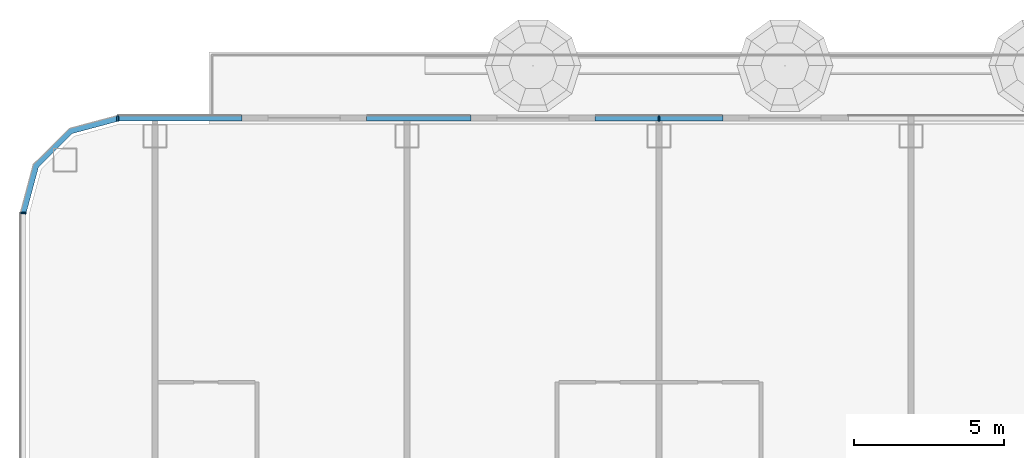
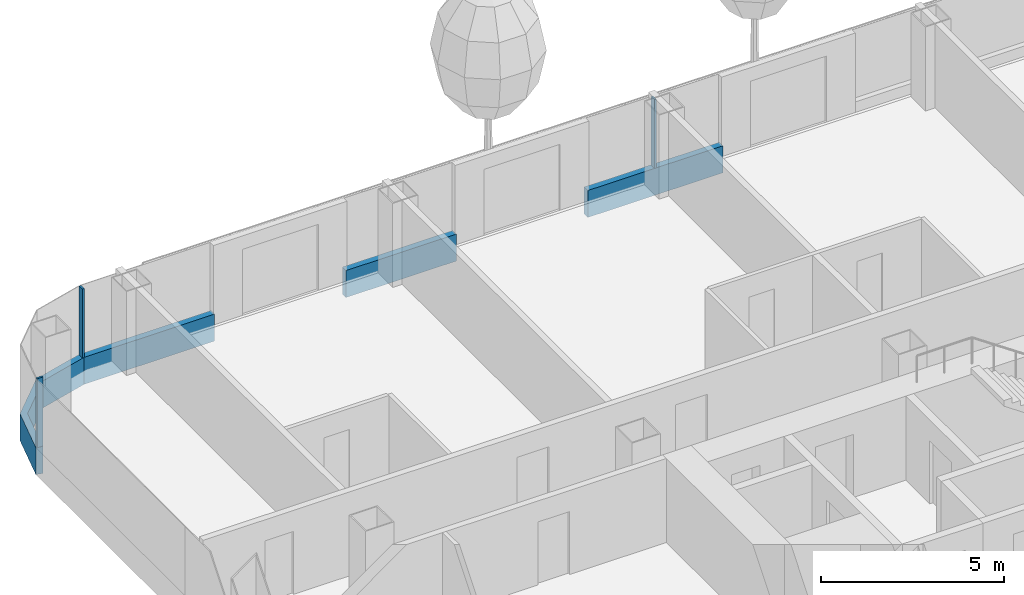
# One storey, part 5 of 34: 7 members, 3 elements without a shape of their own.
"""IFC4 building model written with IfcOpenShell, lengths in metres."""

import ifcopenshell
import ifcopenshell.guid

model = None  # the IFC model being written
_history = None  # IfcOwnerHistory: only IFC2X3 demands one
_inside = {}  # id of a spatial element -> (the spatial element, [elements in it])
_under = {}  # id of a project, library or spatial element -> (it, [spatial elements below it])
_declared = {}  # id of a project -> (the project, [libraries it declares])
_typed = {}  # id of a type object -> (the type object, [elements of that type])
_made_of = {}  # id of a material, layer set ... -> (it, [elements and type objects made of it])


def new_model(schema):
    """Start an empty IFC model of exactly this schema.

    Asked for "IFC4X3", IfcOpenShell would pick the latest addendum, in which some entities
    have other attributes; the version numbers below select the first issue.
    IFC2X3 requires an IfcOwnerHistory on every rooted entity: one is made here for all.
    """
    global model, _history
    if schema == "IFC4X3":
        model = ifcopenshell.file(schema_version=(4, 3, 0, 0))
    else:
        model = ifcopenshell.file(schema=schema)
    _inside.clear()
    _under.clear()
    _declared.clear()
    _typed.clear()
    _made_of.clear()
    _history = None
    if model.schema == "IFC2X3":
        org = make("IfcOrganization", Name="unknown")
        user = make(
            "IfcPersonAndOrganization",
            ThePerson=make("IfcPerson", FamilyName="unknown"),
            TheOrganization=org,
        )
        app = make(
            "IfcApplication",
            ApplicationDeveloper=org,
            Version="unknown",
            ApplicationFullName="unknown",
            ApplicationIdentifier="unknown",
        )
        _history = make(
            "IfcOwnerHistory",
            OwningUser=user,
            OwningApplication=app,
            ChangeAction="ADDED",
            CreationDate=0,
        )
    return model


def make(cls, **values):
    """One entity of the class cls with the attributes given. An attribute that is None is left unset."""
    return model.create_entity(
        cls, **{name: value for name, value in values.items() if value is not None}
    )


def rooted(cls, **values):
    """An entity with a GlobalId (a new one), such as an element, a storey or a relation."""
    return make(cls, GlobalId=ifcopenshell.guid.new(), OwnerHistory=_history, **values)


def si_unit(unit_type, name, prefix=None):
    """IfcSIUnit, for example si_unit("LENGTHUNIT", "METRE", prefix="MILLI")."""
    return make("IfcSIUnit", UnitType=unit_type, Prefix=prefix, Name=name)


def assignment(units):
    """IfcUnitAssignment: the units of a project."""
    return None if units is None else make("IfcUnitAssignment", Units=units)


def point(xyz):
    """IfcCartesianPoint."""
    return None if xyz is None else make("IfcCartesianPoint", Coordinates=xyz)


def direction(xyz):
    """IfcDirection."""
    return None if xyz is None else make("IfcDirection", DirectionRatios=xyz)


def frame(location, z_axis=None, x_axis=None):
    """IfcAxis2Placement3D, a coordinate frame: its origin and axes. An axis left out is left unset."""
    return make(
        "IfcAxis2Placement3D",
        Location=point(location),
        Axis=direction(z_axis),
        RefDirection=direction(x_axis),
    )


def frame_2d(location, x_axis=None):
    """IfcAxis2Placement2D, a coordinate frame in the plane: its origin and x axis."""
    return make(
        "IfcAxis2Placement2D", Location=point(location), RefDirection=direction(x_axis)
    )


def origin():
    """The frame at (0, 0, 0) with its axes left unset."""
    return frame((0.0, 0.0, 0.0))


def origin_2d():
    """The frame at (0, 0) in the plane with its x axis left unset."""
    return frame_2d((0.0, 0.0))


def place(relative_to, where):
    """IfcLocalPlacement: puts the frame where relative to a parent placement (None: the world)."""
    return make(
        "IfcLocalPlacement", PlacementRelTo=relative_to, RelativePlacement=where
    )


def context(
    kind, dimensions, precision=None, world=None, true_north=None, identifier=None
):
    """IfcGeometricRepresentationContext, for example the 3D "Model" context."""
    return make(
        "IfcGeometricRepresentationContext",
        ContextIdentifier=identifier,
        ContextType=kind,
        CoordinateSpaceDimension=dimensions,
        Precision=precision,
        WorldCoordinateSystem=world,
        TrueNorth=true_north,
    )


def subcontext(parent, identifier, kind, view, scale=None):
    """IfcGeometricRepresentationSubContext, for example "Body" below "Model"."""
    return make(
        "IfcGeometricRepresentationSubContext",
        ContextIdentifier=identifier,
        ContextType=kind,
        ParentContext=parent,
        TargetScale=scale,
        TargetView=view,
    )


def project(units=None, contexts=None):
    """IfcProject with its units and contexts."""
    return rooted(
        "IfcProject",
        Name="project",
        RepresentationContexts=contexts,
        UnitsInContext=assignment(units),
    )


def spatial(cls, under=None, at=None, **own):
    """A site, building, storey or space (cls), placed at a placement, below another one or the project."""
    s = rooted(cls, ObjectPlacement=at, **own)
    if under is not None:
        _under.setdefault(under.id(), (under, []))[1].append(s)
    return s


def polyline(points):
    """IfcPolyline through the points."""
    return make("IfcPolyline", Points=[point(p) for p in points])


def profile(cls, at=None, kind="AREA", **sizes):
    """A parametric profile (cls). Its sizes go by their IFC names, for example OverallWidth=200.0."""
    return make(cls, ProfileType=kind, Position=at, **sizes)


def rectangle(**sizes):
    """IfcRectangleProfileDef."""
    return profile("IfcRectangleProfileDef", **sizes)


def outline(outer, holes=None, kind="AREA"):
    """IfcArbitraryClosedProfileDef: a profile drawn as a closed curve; with holes, ...WithVoids."""
    if holes is None:
        return make("IfcArbitraryClosedProfileDef", ProfileType=kind, OuterCurve=outer)
    return make(
        "IfcArbitraryProfileDefWithVoids",
        ProfileType=kind,
        OuterCurve=outer,
        InnerCurves=holes,
    )


def extrude(swept, where, along, depth):
    """IfcExtrudedAreaSolid: the profile swept, set in the frame where, extruded along a direction by depth."""
    return make(
        "IfcExtrudedAreaSolid",
        SweptArea=swept,
        Position=where,
        ExtrudedDirection=direction(along),
        Depth=depth,
    )


def shape(context_of_items, identifier, shape_type, items):
    """IfcShapeRepresentation: the items that make up one representation, for example the "Body"."""
    return make(
        "IfcShapeRepresentation",
        ContextOfItems=context_of_items,
        RepresentationIdentifier=identifier,
        RepresentationType=shape_type,
        Items=items,
    )


def material(Name=None, Category=None):
    """IfcMaterial."""
    return make("IfcMaterial", Name=Name, Category=Category)


def layer(
    of_material, thickness, ventilated=None, Name=None, Category=None, Priority=None
):
    """IfcMaterialLayer: one layer of a wall or slab, of a material (None: an air gap)."""
    return make(
        "IfcMaterialLayer",
        Material=of_material,
        LayerThickness=thickness,
        IsVentilated=ventilated,
        Name=Name,
        Category=Category,
        Priority=Priority,
    )


def layer_set(layers, Name=None):
    """IfcMaterialLayerSet."""
    return make("IfcMaterialLayerSet", MaterialLayers=layers, LayerSetName=Name)


def material_profile(
    of_material, cross_section, Name=None, Category=None, Priority=None
):
    """IfcMaterialProfile: a cross section and its material."""
    return make(
        "IfcMaterialProfile",
        Name=Name,
        Material=of_material,
        Profile=cross_section,
        Priority=Priority,
        Category=Category,
    )


def profile_set(profiles, Name=None, composite=None):
    """IfcMaterialProfileSet."""
    return make(
        "IfcMaterialProfileSet",
        Name=Name,
        MaterialProfiles=profiles,
        CompositeProfile=composite,
    )


def made_of(thing, what):
    """Note that an element or type object is made of a material, layer set ...; save() writes the relation."""
    if what is not None:
        _made_of.setdefault(what.id(), (what, []))[1].append(thing)
    return thing


def type_object(cls, material=None, **own):
    """A type object (cls), such as IfcWallType, which elements share."""
    return made_of(rooted(cls, **own), material)


def element(
    cls,
    number,
    at=None,
    inside=None,
    cuts=None,
    type_object=None,
    material=None,
    context=None,
    identifier="Body",
    shape_type=None,
    held_by="IfcProductDefinitionShape",
    body=None,
    shapes=None,
    **own,
):
    """One element of the class cls, such as IfcWall. Its Tag is "e" and its number.

    at: its placement. inside: the storey or other place that contains it. cuts: it is an
    opening in that element (IfcRelVoidsElement). A single representation is given by context,
    identifier, shape_type and body (its items); several are given by shapes. held_by: the class
    of the entity that holds the representations. save() writes the other relations.
    """
    e = rooted(cls, Tag="e%d" % number, ObjectPlacement=at, **own)
    if body is not None:
        shapes = [shape(context, identifier, shape_type, body)]
    if shapes is not None:
        e.Representation = make(held_by, Representations=shapes)
    if inside is not None:
        _inside.setdefault(inside.id(), (inside, []))[1].append(e)
    if cuts is not None:
        rooted(
            "IfcRelVoidsElement", RelatingBuildingElement=cuts, RelatedOpeningElement=e
        )
    if type_object is not None:
        _typed.setdefault(type_object.id(), (type_object, []))[1].append(e)
    return made_of(e, material)


def aggregate(whole, parts):
    """IfcRelAggregates: a whole, such as a stair, and the parts it consists of."""
    return rooted("IfcRelAggregates", RelatingObject=whole, RelatedObjects=parts)


def save(model, path):
    """Write the relations noted so far, then the file.

    IfcRelAggregates (storeys below a building ...), IfcRelContainedInSpatialStructure (elements
    in a storey), IfcRelDefinesByType, IfcRelAssociatesMaterial and IfcRelDeclares: one each for
    every whole, place, type object, material and project.
    """
    for whole, parts in _under.values():
        aggregate(whole, parts)
    for where, things in _inside.values():
        rooted(
            "IfcRelContainedInSpatialStructure",
            RelatedElements=things,
            RelatingStructure=where,
        )
    for kind, things in _typed.values():
        rooted("IfcRelDefinesByType", RelatedObjects=things, RelatingType=kind)
    for what, things in _made_of.values():
        rooted("IfcRelAssociatesMaterial", RelatedObjects=things, RelatingMaterial=what)
    for by, libraries in _declared.values():
        rooted("IfcRelDeclares", RelatingContext=by, RelatedDefinitions=libraries)
    model.write(path)


model = new_model("IFC4")

# Units and contexts
model_context = context("Model", 3, precision=1e-05, world=origin(), true_north=direction((0.0, 1.0)))
body_context = subcontext(model_context, "Body", "Model", "MODEL_VIEW")
ifc_project = project(units=[si_unit("LENGTHUNIT", "METRE"), si_unit("AREAUNIT", "SQUARE_METRE"), si_unit("VOLUMEUNIT", "CUBIC_METRE"), si_unit("PLANEANGLEUNIT", "RADIAN"), si_unit("MASSUNIT", "GRAM", prefix="KILO")], contexts=[model_context])

# Site, building, storey
site_placement = place(None, origin())
site = spatial("IfcSite", under=ifc_project, at=site_placement, CompositionType="ELEMENT")
building_placement = place(site_placement, origin())
building = spatial("IfcBuilding", under=site, at=building_placement, Name="Hakoniwa Tower and Hamabe Station Hall", CompositionType="ELEMENT")
storey_placement = place(building_placement, frame((0.0, 0.0, 107.39990234375)))
storey = spatial("IfcBuildingStorey", under=building, at=storey_placement, Name="L30", CompositionType="ELEMENT", Elevation=107.39990234375)

# Curtain wall, members
ifc_material_1 = material(Name="Dark low-e laminated glass", Category="glass")
ifc_layer = layer(ifc_material_1, 0.199951171875)
ifc_layer_set = layer_set([ifc_layer], Name="CW-1 UNITISED GUEST")
curtain_wall_type = type_object("IfcCurtainWallType", Name="CW-1 UNITISED GUEST", PredefinedType="NOTDEFINED", material=ifc_layer_set)
curtain_wall_1_placement = place(storey_placement, origin())
curtain_wall_1 = element("IfcCurtainWall", 1, at=curtain_wall_1_placement, inside=storey, type_object=curtain_wall_type, Name="CW-1 curtain wall", PredefinedType="NOTDEFINED")
ifc_material_2 = material(Name="Aluminium 6063-T5 black anodised", Category="aluminium")
ifc_material_profile_1 = material_profile(ifc_material_2, rectangle(XDim=0.199951171875, YDim=0.89990234375, at=origin_2d()), Name="CW SLAB-EDGE BAND 900X200")
ifc_profile_set_1 = profile_set([ifc_material_profile_1], Name="Aluminium 6063-T5 black anodised")
member_type_1 = type_object("IfcMemberType", Name="CW SLAB-EDGE BAND 900X200", PredefinedType="USERDEFINED", material=ifc_profile_set_1)
member_1_placement = place(storey_placement, frame((-23.070068359375, 23.449951171875, -0.099853515625), z_axis=(-1.0, 0.0, 0.0), x_axis=(0.0, -1.0, 0.0)))
member_1 = element("IfcMember", 2, at=member_1_placement, type_object=member_type_1, Name="CW-1 transom", ObjectType="TRANSOM", PredefinedType="USERDEFINED", context=body_context, shape_type="SweptSolid", body=[
    extrude(rectangle(XDim=0.199951171875, YDim=0.89990234375, at=origin_2d()), origin(), (0.0, 0.0, 1.0), 4.260009765625),
])
member_2_placement = place(storey_placement, frame((-31.469970703125, 23.449951171875, -0.099853515625), z_axis=(-1.0, 0.0, 0.0), x_axis=(0.0, -1.0, 0.0)))
member_2 = element("IfcMember", 3, at=member_2_placement, type_object=member_type_1, Name="CW-1 transom", ObjectType="TRANSOM", PredefinedType="USERDEFINED", context=body_context, shape_type="SweptSolid", body=[
    extrude(rectangle(XDim=0.199951171875, YDim=0.89990234375, at=origin_2d()), origin(), (0.0, 0.0, 1.0), 3.485107421875),
])
member_3_placement = place(storey_placement, frame((-39.094970703125, 23.449951171875, -0.099853515625), z_axis=(-1.0, 0.0, 0.0), x_axis=(0.0, -1.0, 0.0)))
member_3 = element("IfcMember", 4, at=member_3_placement, type_object=member_type_1, Name="CW-1 transom", ObjectType="TRANSOM", PredefinedType="USERDEFINED", context=body_context, shape_type="SweptSolid", body=[
    extrude(rectangle(XDim=0.199951171875, YDim=0.89990234375, at=origin_2d()), origin(), (0.0, 0.0, 1.0), 4.14453125),
])

# Curtain wall, member
curtain_wall_2_placement = place(storey_placement, origin())
curtain_wall_2 = element("IfcCurtainWall", 5, at=curtain_wall_2_placement, inside=storey, type_object=curtain_wall_type, Name="CW-1 curtain wall", PredefinedType="NOTDEFINED")
member_4_placement = place(storey_placement, frame((0.0, 0.0, -0.5498046875)))
member_4 = element("IfcMember", 6, at=member_4_placement, type_object=member_type_1, Name="CW-1 transom", ObjectType="TRANSOM", PredefinedType="USERDEFINED", context=body_context, shape_type="SweptSolid", body=[
    extrude(outline(polyline([(-43.239501953125, 23.550048828125), (-44.855224609375, 23.116943359375), (-46.067138671875, 21.9052734375), (-46.5, 20.28955078125), (-46.306884765625, 20.23779296875), (-45.8876953125, 21.8017578125), (-44.751708984375, 22.937744140625), (-43.187744140625, 23.35693359375), (-43.239501953125, 23.550048828125)])), origin(), (0.0, 0.0, 1.0), 0.89990234375),
])
aggregate(curtain_wall_2, [member_4])

# Member
ifc_material_3 = material(Name="Aluminium 6063-T5 black anodised", Category="aluminium")
ifc_material_profile_2 = material_profile(ifc_material_3, rectangle(XDim=0.06005859375, YDim=0.179931640625, at=origin_2d()), Name="CW-1 MULLION 60X180")
ifc_profile_set_2 = profile_set([ifc_material_profile_2], Name="Aluminium 6063-T5 black anodised")
member_type_2 = type_object("IfcMemberType", Name="CW-1 MULLION 60X180", PredefinedType="MULLION", material=ifc_profile_set_2)
member_5_placement = place(storey_placement, frame((-25.199951171875, 23.431884765625, 0.35009765625), z_axis=(0.0, 0.0, 1.0), x_axis=(-1.0, 0.0, 0.0)))
member_5 = element("IfcMember", 7, at=member_5_placement, type_object=member_type_2, Name="CW-1 mullion", PredefinedType="MULLION", context=body_context, shape_type="SweptSolid", body=[
    extrude(rectangle(XDim=0.06005859375, YDim=0.179931640625, at=origin_2d()), origin(), (0.0, 0.0, 1.0), 2.300048828125),
])

member_6_placement = place(storey_placement, frame((-43.239501953125, 23.431884765625, 0.35009765625), z_axis=(0.0, 0.0, 1.0), x_axis=(-1.0, 0.0, 0.0)))
member_6 = element("IfcMember", 8, at=member_6_placement, type_object=member_type_2, Name="CW-1 mullion", PredefinedType="MULLION", context=body_context, shape_type="SweptSolid", body=[
    extrude(rectangle(XDim=0.06005859375, YDim=0.179931640625, at=origin_2d()), origin(), (0.0, 0.0, 1.0), 2.300048828125),
])

aggregate(curtain_wall_1, [member_5, member_6, member_1, member_2, member_3])

# Curtain wall, member
curtain_wall_3_placement = place(storey_placement, origin())
curtain_wall_3 = element("IfcCurtainWall", 9, at=curtain_wall_3_placement, inside=storey, type_object=curtain_wall_type, Name="CW-1 curtain wall", PredefinedType="NOTDEFINED")
member_7_placement = place(storey_placement, frame((-46.382080078125, 20.28955078125, 0.35009765625), z_axis=(0.0, 0.0, 1.0), x_axis=(0.0, -1.0, 0.0)))
member_7 = element("IfcMember", 10, at=member_7_placement, type_object=member_type_2, Name="CW-1 mullion", PredefinedType="MULLION", context=body_context, shape_type="SweptSolid", body=[
    extrude(rectangle(XDim=0.06005859375, YDim=0.179931640625, at=origin_2d()), origin(), (0.0, 0.0, 1.0), 2.300048828125),
])
aggregate(curtain_wall_3, [member_7])

save(model, "model.ifc")
